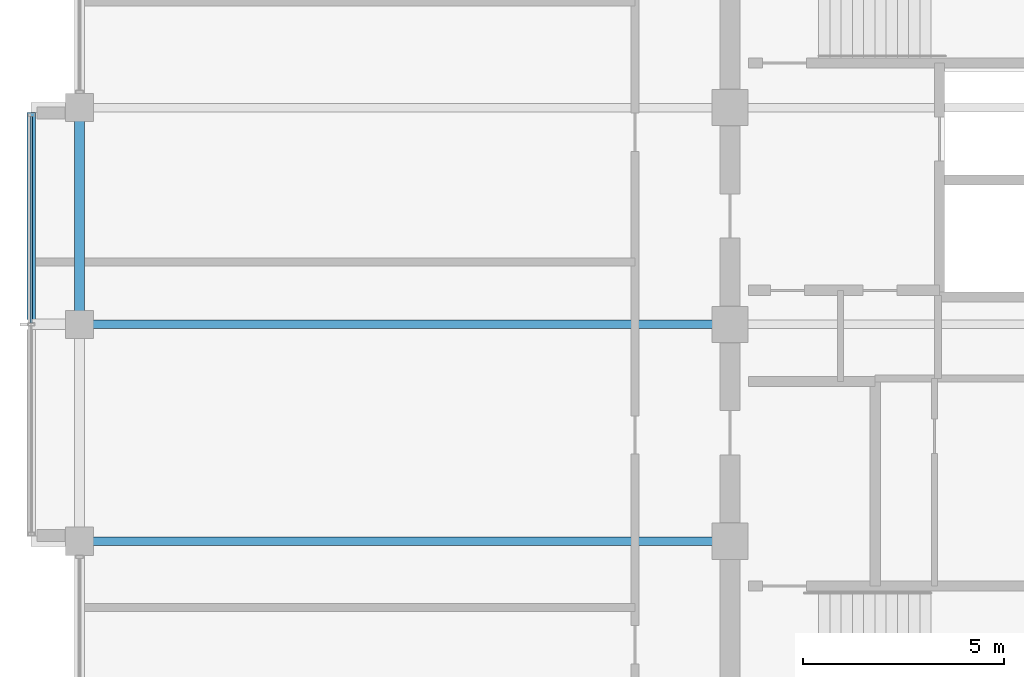
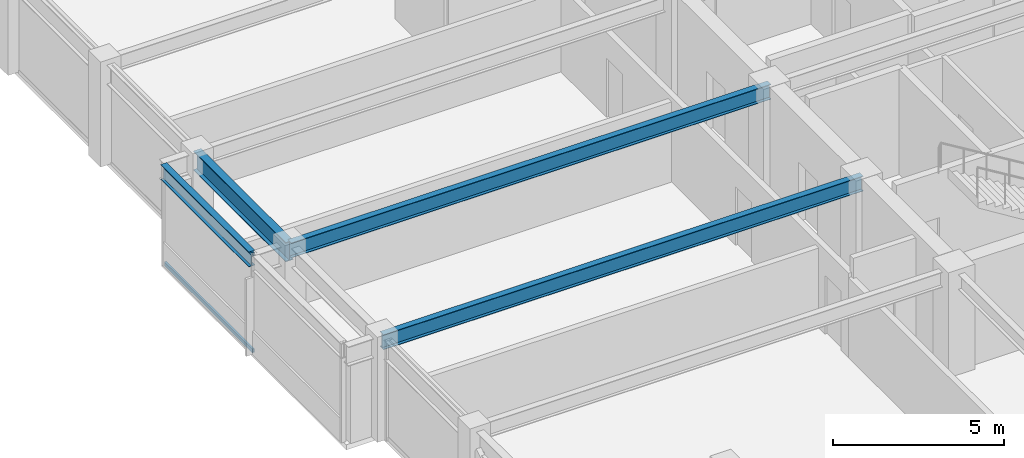
# One storey, part 9 of 32: 4 beams, 2 members, 1 element without a shape of its own.
"""IFC4 building model written with IfcOpenShell, lengths in metres."""

from ifc_helpers import new_model, si_unit, direction, frame, origin, origin_2d, place, context, subcontext, project, spatial, hollow_rectangle, i_section, extrude, material, layer, layer_set, material_profile, profile_set, type_object, element, aggregate, save


model = new_model("IFC4")

# Units and contexts
model_context = context("Model", 3, precision=1e-05, world=origin(), true_north=direction((0.0, 1.0)))
body_context = subcontext(model_context, "Body", "Model", "MODEL_VIEW")
ifc_project = project(units=[si_unit("LENGTHUNIT", "METRE"), si_unit("AREAUNIT", "SQUARE_METRE"), si_unit("VOLUMEUNIT", "CUBIC_METRE"), si_unit("PLANEANGLEUNIT", "RADIAN"), si_unit("MASSUNIT", "GRAM", prefix="KILO")], contexts=[model_context])

# Site, building, storey
site_placement = place(None, origin())
site = spatial("IfcSite", under=ifc_project, at=site_placement, CompositionType="ELEMENT")
building_placement = place(site_placement, origin())
building = spatial("IfcBuilding", under=site, at=building_placement, Name="Surkhivell Harbour Commons", CompositionType="ELEMENT")
storey_placement = place(building_placement, frame((0.0, 0.0, 311.25)))
storey = spatial("IfcBuildingStorey", under=building, at=storey_placement, Name="L81", CompositionType="ELEMENT", Elevation=311.25)

# Beams
ifc_material_1 = material(Name="Steel S355", Category="steel")
ifc_material_profile_1 = material_profile(ifc_material_1, i_section(OverallWidth=0.2099609375, OverallDepth=0.537109375, WebThickness=0.0107421875, FlangeThickness=0.017333984375, at=origin_2d()), Name="UB533x210x101")
ifc_profile_set_1 = profile_set([ifc_material_profile_1], Name="Steel S355")
beam_type_1 = type_object("IfcBeamType", Name="BM-GRD-533B", PredefinedType="BEAM", material=ifc_profile_set_1)
for number, where, z_axis, x_axis, name in (
    (1, (-27.0, -5.39990234375, 3.301513671875), (1.0, 0.0, 0.0), (0.0, 1.0, 0.0), "L81 Floor Girder (-27.0,-5.4)"),
    (2, (-27.0, 0.0, 3.301513671875), (1.0, 0.0, 0.0), (0.0, 1.0, 0.0), "L81 Floor Girder (-27.0,0.0)"),
):
    element("IfcBeam", number, at=place(storey_placement, frame(where, z_axis=z_axis, x_axis=x_axis)), inside=storey, type_object=beam_type_1, Name=name, PredefinedType="BEAM", context=body_context, shape_type="SweptSolid", body=[
        extrude(i_section(OverallWidth=0.2099609375, OverallDepth=0.537109375, WebThickness=0.0107421875, FlangeThickness=0.017333984375, at=origin_2d()), origin(), (0.0, 0.0, 1.0), 16.199951171875),
    ])
beam_1_placement = place(storey_placement, frame((-28.199951171875, 0.1220703125, 3.301513671875), z_axis=(0.0, 1.0, 0.0), x_axis=(-1.0, 0.0, 0.0)))
element("IfcBeam", 3, at=beam_1_placement, inside=storey, type_object=beam_type_1, Name="L81 Box Rim Spandrel (-28.2,0.0)", PredefinedType="BEAM", context=body_context, shape_type="SweptSolid", body=[
    extrude(i_section(OverallWidth=0.2099609375, OverallDepth=0.537109375, WebThickness=0.0107421875, FlangeThickness=0.017333984375, at=origin_2d()), origin(), (0.0, 0.0, 1.0), 5.156005859375),
])
ifc_material_profile_2 = material_profile(ifc_material_1, i_section(OverallWidth=0.256103515625, OverallDepth=0.693115234375, WebThickness=0.014404296875, FlangeThickness=0.023681640625, at=origin_2d()), Name="UB686x254x170")
ifc_profile_set_2 = profile_set([ifc_material_profile_2], Name="Steel S355")
beam_type_2 = type_object("IfcBeamType", Name="BM-SPN-686", PredefinedType="SPANDREL", material=ifc_profile_set_2)
beam_2_placement = place(storey_placement, frame((-27.0, 0.0, 3.223388671875), z_axis=(0.0, 1.0, 0.0), x_axis=(-1.0, 0.0, 0.0)))
element("IfcBeam", 4, at=beam_2_placement, inside=storey, type_object=beam_type_2, Name="L81 Tube Spandrel (-27.0,0.0)", PredefinedType="SPANDREL", context=body_context, shape_type="SweptSolid", body=[
    extrude(i_section(OverallWidth=0.256103515625, OverallDepth=0.693115234375, WebThickness=0.014404296875, FlangeThickness=0.023681640625, at=origin_2d()), origin(), (0.0, 0.0, 1.0), 5.39990234375),
])

# Curtain wall, members
ifc_material_2 = material(Name="Anodised pale-metal aluminium and insulated glazing", Category="aluminium")
ifc_layer = layer(ifc_material_2, 0.1650390625)
ifc_layer_set = layer_set([ifc_layer], Name="Anodised pale-metal aluminium and insulated glazing")
curtain_wall_type = type_object("IfcCurtainWallType", Name="CW-SYS-BOX", PredefinedType="NOTDEFINED", material=ifc_layer_set)
curtain_wall_placement = place(storey_placement, origin())
curtain_wall = element("IfcCurtainWall", 5, at=curtain_wall_placement, inside=storey, type_object=curtain_wall_type, Name="L81 Curtain Wall CW-L81-BOX02", PredefinedType="NOTDEFINED")
ifc_material_3 = material(Name="Champagne anodised aluminium alloy 6063-T6", Category="aluminium")
ifc_material_profile_3 = material_profile(ifc_material_3, hollow_rectangle(XDim=0.070068359375, YDim=0.1298828125, WallThickness=0.00341796875, at=origin_2d()), Name="ALU-TRAN-70x130")
ifc_profile_set_3 = profile_set([ifc_material_profile_3], Name="Champagne anodised aluminium alloy 6063-T6")
member_type = type_object("IfcMemberType", Name="CWT-130", PredefinedType="USERDEFINED", material=ifc_profile_set_3)
member_1_placement = place(storey_placement, frame((-28.199951171875, 0.034912109375, 0.06494140625), z_axis=(0.0, 1.0, 0.0), x_axis=(-1.0, 0.0, 0.0)))
member_1 = element("IfcMember", 6, at=member_1_placement, type_object=member_type, Name="CW-BOX transom 2.1", ObjectType="TRANSOM", PredefinedType="USERDEFINED", context=body_context, shape_type="SweptSolid", body=[
    extrude(hollow_rectangle(XDim=0.070068359375, YDim=0.1298828125, WallThickness=0.00341796875, at=origin_2d()), origin(), (0.0, 0.0, 1.0), 5.14501953125),
])
member_2_placement = place(storey_placement, frame((-28.199951171875, 0.034912109375, 3.5048828125), z_axis=(0.0, 1.0, 0.0), x_axis=(-1.0, 0.0, 0.0)))
member_2 = element("IfcMember", 7, at=member_2_placement, type_object=member_type, Name="CW-BOX transom 2.2", ObjectType="TRANSOM", PredefinedType="USERDEFINED", context=body_context, shape_type="SweptSolid", body=[
    extrude(hollow_rectangle(XDim=0.070068359375, YDim=0.1298828125, WallThickness=0.00341796875, at=origin_2d()), origin(), (0.0, 0.0, 1.0), 5.14501953125),
])
aggregate(curtain_wall, [member_1, member_2])

save(model, "model.ifc")
